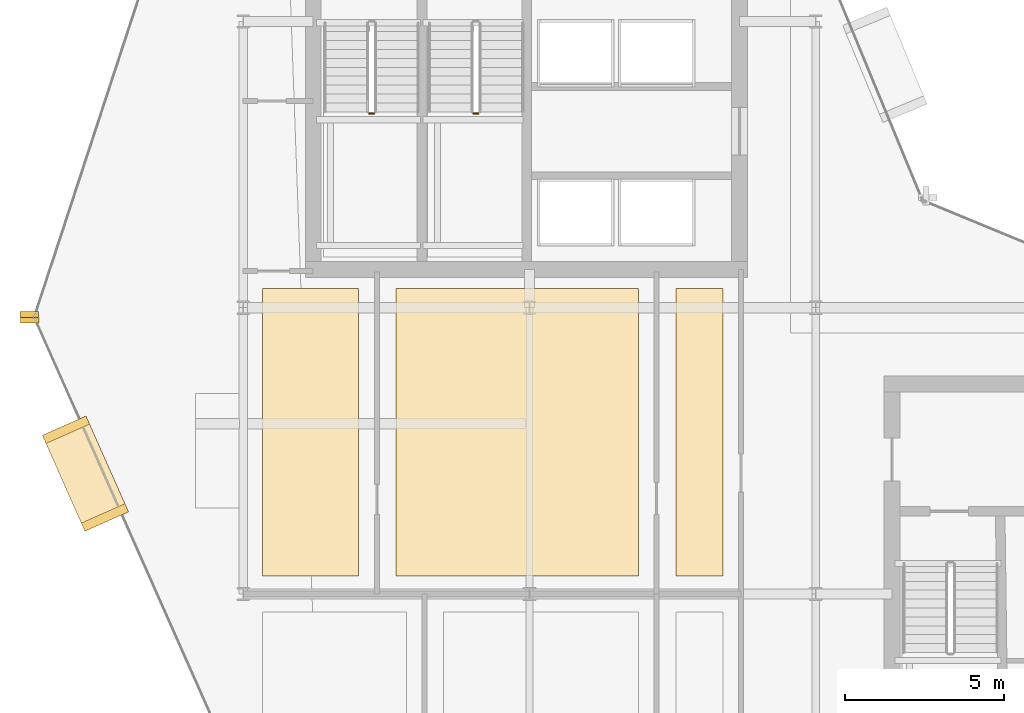
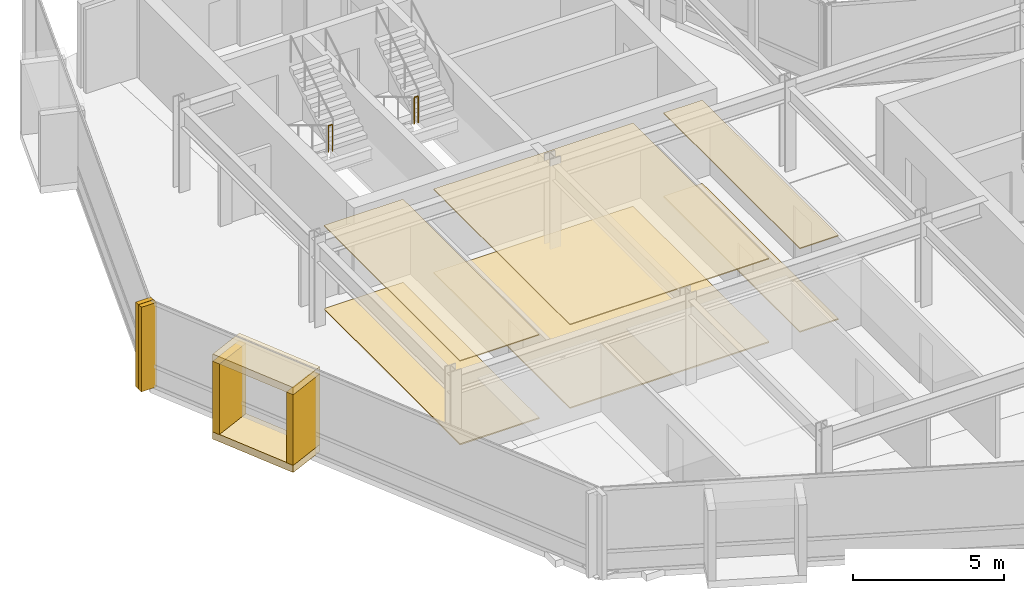
# One storey, part 23 of 27: 12 coverings, 2 railings.
"""IFC4 building model written with IfcOpenShell, lengths in metres."""

import ifcopenshell
import ifcopenshell.guid

model = None  # the IFC model being written
_history = None  # IfcOwnerHistory: only IFC2X3 demands one
_inside = {}  # id of a spatial element -> (the spatial element, [elements in it])
_under = {}  # id of a project, library or spatial element -> (it, [spatial elements below it])
_declared = {}  # id of a project -> (the project, [libraries it declares])
_typed = {}  # id of a type object -> (the type object, [elements of that type])
_made_of = {}  # id of a material, layer set ... -> (it, [elements and type objects made of it])


def new_model(schema):
    """Start an empty IFC model of exactly this schema.

    Asked for "IFC4X3", IfcOpenShell would pick the latest addendum, in which some entities
    have other attributes; the version numbers below select the first issue.
    IFC2X3 requires an IfcOwnerHistory on every rooted entity: one is made here for all.
    """
    global model, _history
    if schema == "IFC4X3":
        model = ifcopenshell.file(schema_version=(4, 3, 0, 0))
    else:
        model = ifcopenshell.file(schema=schema)
    _inside.clear()
    _under.clear()
    _declared.clear()
    _typed.clear()
    _made_of.clear()
    _history = None
    if model.schema == "IFC2X3":
        org = make("IfcOrganization", Name="unknown")
        user = make(
            "IfcPersonAndOrganization",
            ThePerson=make("IfcPerson", FamilyName="unknown"),
            TheOrganization=org,
        )
        app = make(
            "IfcApplication",
            ApplicationDeveloper=org,
            Version="unknown",
            ApplicationFullName="unknown",
            ApplicationIdentifier="unknown",
        )
        _history = make(
            "IfcOwnerHistory",
            OwningUser=user,
            OwningApplication=app,
            ChangeAction="ADDED",
            CreationDate=0,
        )
    return model


def make(cls, **values):
    """One entity of the class cls with the attributes given. An attribute that is None is left unset."""
    return model.create_entity(
        cls, **{name: value for name, value in values.items() if value is not None}
    )


def rooted(cls, **values):
    """An entity with a GlobalId (a new one), such as an element, a storey or a relation."""
    return make(cls, GlobalId=ifcopenshell.guid.new(), OwnerHistory=_history, **values)


def si_unit(unit_type, name, prefix=None):
    """IfcSIUnit, for example si_unit("LENGTHUNIT", "METRE", prefix="MILLI")."""
    return make("IfcSIUnit", UnitType=unit_type, Prefix=prefix, Name=name)


def assignment(units):
    """IfcUnitAssignment: the units of a project."""
    return None if units is None else make("IfcUnitAssignment", Units=units)


def point(xyz):
    """IfcCartesianPoint."""
    return None if xyz is None else make("IfcCartesianPoint", Coordinates=xyz)


def direction(xyz):
    """IfcDirection."""
    return None if xyz is None else make("IfcDirection", DirectionRatios=xyz)


def frame(location, z_axis=None, x_axis=None):
    """IfcAxis2Placement3D, a coordinate frame: its origin and axes. An axis left out is left unset."""
    return make(
        "IfcAxis2Placement3D",
        Location=point(location),
        Axis=direction(z_axis),
        RefDirection=direction(x_axis),
    )


def frame_2d(location, x_axis=None):
    """IfcAxis2Placement2D, a coordinate frame in the plane: its origin and x axis."""
    return make(
        "IfcAxis2Placement2D", Location=point(location), RefDirection=direction(x_axis)
    )


def origin():
    """The frame at (0, 0, 0) with its axes left unset."""
    return frame((0.0, 0.0, 0.0))


def origin_2d():
    """The frame at (0, 0) in the plane with its x axis left unset."""
    return frame_2d((0.0, 0.0))


def place(relative_to, where):
    """IfcLocalPlacement: puts the frame where relative to a parent placement (None: the world)."""
    return make(
        "IfcLocalPlacement", PlacementRelTo=relative_to, RelativePlacement=where
    )


def context(
    kind, dimensions, precision=None, world=None, true_north=None, identifier=None
):
    """IfcGeometricRepresentationContext, for example the 3D "Model" context."""
    return make(
        "IfcGeometricRepresentationContext",
        ContextIdentifier=identifier,
        ContextType=kind,
        CoordinateSpaceDimension=dimensions,
        Precision=precision,
        WorldCoordinateSystem=world,
        TrueNorth=true_north,
    )


def subcontext(parent, identifier, kind, view, scale=None):
    """IfcGeometricRepresentationSubContext, for example "Body" below "Model"."""
    return make(
        "IfcGeometricRepresentationSubContext",
        ContextIdentifier=identifier,
        ContextType=kind,
        ParentContext=parent,
        TargetScale=scale,
        TargetView=view,
    )


def project(units=None, contexts=None):
    """IfcProject with its units and contexts."""
    return rooted(
        "IfcProject",
        Name="project",
        RepresentationContexts=contexts,
        UnitsInContext=assignment(units),
    )


def spatial(cls, under=None, at=None, **own):
    """A site, building, storey or space (cls), placed at a placement, below another one or the project."""
    s = rooted(cls, ObjectPlacement=at, **own)
    if under is not None:
        _under.setdefault(under.id(), (under, []))[1].append(s)
    return s


def polyline(points):
    """IfcPolyline through the points."""
    return make("IfcPolyline", Points=[point(p) for p in points])


def profile(cls, at=None, kind="AREA", **sizes):
    """A parametric profile (cls). Its sizes go by their IFC names, for example OverallWidth=200.0."""
    return make(cls, ProfileType=kind, Position=at, **sizes)


def rectangle(**sizes):
    """IfcRectangleProfileDef."""
    return profile("IfcRectangleProfileDef", **sizes)


def circle(**sizes):
    """IfcCircleProfileDef."""
    return profile("IfcCircleProfileDef", **sizes)


def outline(outer, holes=None, kind="AREA"):
    """IfcArbitraryClosedProfileDef: a profile drawn as a closed curve; with holes, ...WithVoids."""
    if holes is None:
        return make("IfcArbitraryClosedProfileDef", ProfileType=kind, OuterCurve=outer)
    return make(
        "IfcArbitraryProfileDefWithVoids",
        ProfileType=kind,
        OuterCurve=outer,
        InnerCurves=holes,
    )


def extrude(swept, where, along, depth):
    """IfcExtrudedAreaSolid: the profile swept, set in the frame where, extruded along a direction by depth."""
    return make(
        "IfcExtrudedAreaSolid",
        SweptArea=swept,
        Position=where,
        ExtrudedDirection=direction(along),
        Depth=depth,
    )


def shape(context_of_items, identifier, shape_type, items):
    """IfcShapeRepresentation: the items that make up one representation, for example the "Body"."""
    return make(
        "IfcShapeRepresentation",
        ContextOfItems=context_of_items,
        RepresentationIdentifier=identifier,
        RepresentationType=shape_type,
        Items=items,
    )


def material(Name=None, Category=None):
    """IfcMaterial."""
    return make("IfcMaterial", Name=Name, Category=Category)


def layer(
    of_material, thickness, ventilated=None, Name=None, Category=None, Priority=None
):
    """IfcMaterialLayer: one layer of a wall or slab, of a material (None: an air gap)."""
    return make(
        "IfcMaterialLayer",
        Material=of_material,
        LayerThickness=thickness,
        IsVentilated=ventilated,
        Name=Name,
        Category=Category,
        Priority=Priority,
    )


def layer_set(layers, Name=None):
    """IfcMaterialLayerSet."""
    return make("IfcMaterialLayerSet", MaterialLayers=layers, LayerSetName=Name)


def made_of(thing, what):
    """Note that an element or type object is made of a material, layer set ...; save() writes the relation."""
    if what is not None:
        _made_of.setdefault(what.id(), (what, []))[1].append(thing)
    return thing


def type_object(cls, material=None, **own):
    """A type object (cls), such as IfcWallType, which elements share."""
    return made_of(rooted(cls, **own), material)


def element(
    cls,
    number,
    at=None,
    inside=None,
    cuts=None,
    type_object=None,
    material=None,
    context=None,
    identifier="Body",
    shape_type=None,
    held_by="IfcProductDefinitionShape",
    body=None,
    shapes=None,
    **own,
):
    """One element of the class cls, such as IfcWall. Its Tag is "e" and its number.

    at: its placement. inside: the storey or other place that contains it. cuts: it is an
    opening in that element (IfcRelVoidsElement). A single representation is given by context,
    identifier, shape_type and body (its items); several are given by shapes. held_by: the class
    of the entity that holds the representations. save() writes the other relations.
    """
    e = rooted(cls, Tag="e%d" % number, ObjectPlacement=at, **own)
    if body is not None:
        shapes = [shape(context, identifier, shape_type, body)]
    if shapes is not None:
        e.Representation = make(held_by, Representations=shapes)
    if inside is not None:
        _inside.setdefault(inside.id(), (inside, []))[1].append(e)
    if cuts is not None:
        rooted(
            "IfcRelVoidsElement", RelatingBuildingElement=cuts, RelatedOpeningElement=e
        )
    if type_object is not None:
        _typed.setdefault(type_object.id(), (type_object, []))[1].append(e)
    return made_of(e, material)


def aggregate(whole, parts):
    """IfcRelAggregates: a whole, such as a stair, and the parts it consists of."""
    return rooted("IfcRelAggregates", RelatingObject=whole, RelatedObjects=parts)


def save(model, path):
    """Write the relations noted so far, then the file.

    IfcRelAggregates (storeys below a building ...), IfcRelContainedInSpatialStructure (elements
    in a storey), IfcRelDefinesByType, IfcRelAssociatesMaterial and IfcRelDeclares: one each for
    every whole, place, type object, material and project.
    """
    for whole, parts in _under.values():
        aggregate(whole, parts)
    for where, things in _inside.values():
        rooted(
            "IfcRelContainedInSpatialStructure",
            RelatedElements=things,
            RelatingStructure=where,
        )
    for kind, things in _typed.values():
        rooted("IfcRelDefinesByType", RelatedObjects=things, RelatingType=kind)
    for what, things in _made_of.values():
        rooted("IfcRelAssociatesMaterial", RelatedObjects=things, RelatingMaterial=what)
    for by, libraries in _declared.values():
        rooted("IfcRelDeclares", RelatingContext=by, RelatedDefinitions=libraries)
    model.write(path)


model = new_model("IFC4")

# Units and contexts
model_context = context("Model", 3, precision=1e-05, world=origin(), true_north=direction((0.0, 1.0)))
body_context = subcontext(model_context, "Body", "Model", "MODEL_VIEW")
ifc_project = project(units=[si_unit("LENGTHUNIT", "METRE"), si_unit("AREAUNIT", "SQUARE_METRE"), si_unit("VOLUMEUNIT", "CUBIC_METRE"), si_unit("PLANEANGLEUNIT", "RADIAN"), si_unit("MASSUNIT", "GRAM", prefix="KILO")], contexts=[model_context])

# Site, building, storey
site_placement = place(None, origin())
site = spatial("IfcSite", under=ifc_project, at=site_placement, CompositionType="ELEMENT")
building_placement = place(site_placement, origin())
building = spatial("IfcBuilding", under=site, at=building_placement, Name="Solvaryn Broadcast Tower", CompositionType="ELEMENT")
storey_placement = place(building_placement, frame((0.0, 0.0, 189.0)))
storey = spatial("IfcBuildingStorey", under=building, at=storey_placement, Name="L47", CompositionType="ELEMENT", Elevation=189.0)

# Coverings
ifc_material_1 = material(Name="Micro-Perforated Acoustic Gypsum Ceiling", Category="concrete")
ifc_layer_1 = layer(ifc_material_1, 0.0400390625)
ifc_layer_set_1 = layer_set([ifc_layer_1], Name="CV-CEIL-ACOUSTIC")
covering_type_1 = type_object("IfcCoveringType", Name="CV-CEIL-ACOUSTIC", PredefinedType="CEILING", material=ifc_layer_set_1)
covering_1_placement = place(storey_placement, frame((0.0, 0.0, 3.3798828125)))
element("IfcCovering", 1, at=covering_1_placement, inside=storey, type_object=covering_type_1, Name="L47 Room Acoustic Ceiling 1", PredefinedType="CEILING", context=body_context, shape_type="SweptSolid", body=[
    extrude(outline(polyline([(9.60009765625, 18.570068359375), (12.6298828125, 18.570068359375), (12.6298828125, 27.60009765625), (9.60009765625, 27.60009765625), (9.60009765625, 18.570068359375)])), origin(), (0.0, 0.0, 1.0), 0.0400390625),
])
covering_2_placement = place(storey_placement, frame((0.0, 0.0, 3.3798828125)))
element("IfcCovering", 2, at=covering_2_placement, inside=storey, type_object=covering_type_1, Name="L47 Room Acoustic Ceiling 2", PredefinedType="CEILING", context=body_context, shape_type="SweptSolid", body=[
    extrude(outline(polyline([(13.800048828125, 18.570068359375), (21.429931640625, 18.570068359375), (21.429931640625, 27.60009765625), (13.800048828125, 27.60009765625), (13.800048828125, 18.570068359375)])), origin(), (0.0, 0.0, 1.0), 0.0400390625),
])
covering_3_placement = place(storey_placement, frame((0.0, 0.0, 3.3798828125)))
element("IfcCovering", 3, at=covering_3_placement, inside=storey, type_object=covering_type_1, Name="L47 Room Acoustic Ceiling 3", PredefinedType="CEILING", context=body_context, shape_type="SweptSolid", body=[
    extrude(outline(polyline([(22.60009765625, 18.570068359375), (24.080078125, 18.570068359375), (24.080078125, 27.60009765625), (22.60009765625, 27.60009765625), (22.60009765625, 18.570068359375)])), origin(), (0.0, 0.0, 1.0), 0.0400390625),
])
ifc_material_2 = material(Name="Newsroom Raised Data Access Flooring", Category="steel")
ifc_layer_2 = layer(ifc_material_2, 0.050048828125)
ifc_layer_set_2 = layer_set([ifc_layer_2], Name="CV-FLOOR-RAISED")
covering_type_2 = type_object("IfcCoveringType", Name="CV-FLOOR-RAISED", PredefinedType="FLOORING", material=ifc_layer_set_2)
covering_4_placement = place(storey_placement, origin())
element("IfcCovering", 4, at=covering_4_placement, inside=storey, type_object=covering_type_2, Name="L47 Room Acoustic Floor Finish 1", PredefinedType="FLOORING", context=body_context, shape_type="SweptSolid", body=[
    extrude(outline(polyline([(9.60009765625, 18.570068359375), (12.6298828125, 18.570068359375), (12.6298828125, 27.60009765625), (9.60009765625, 27.60009765625), (9.60009765625, 18.570068359375)])), origin(), (0.0, 0.0, 1.0), 0.050048828125),
])
covering_5_placement = place(storey_placement, origin())
element("IfcCovering", 5, at=covering_5_placement, inside=storey, type_object=covering_type_2, Name="L47 Room Acoustic Floor Finish 2", PredefinedType="FLOORING", context=body_context, shape_type="SweptSolid", body=[
    extrude(outline(polyline([(13.800048828125, 18.570068359375), (21.429931640625, 18.570068359375), (21.429931640625, 27.60009765625), (13.800048828125, 27.60009765625), (13.800048828125, 18.570068359375)])), origin(), (0.0, 0.0, 1.0), 0.050048828125),
])
covering_6_placement = place(storey_placement, origin())
element("IfcCovering", 6, at=covering_6_placement, inside=storey, type_object=covering_type_2, Name="L47 Room Acoustic Floor Finish 3", PredefinedType="FLOORING", context=body_context, shape_type="SweptSolid", body=[
    extrude(outline(polyline([(22.60009765625, 18.570068359375), (24.080078125, 18.570068359375), (24.080078125, 27.60009765625), (22.60009765625, 27.60009765625), (22.60009765625, 18.570068359375)])), origin(), (0.0, 0.0, 1.0), 0.050048828125),
])
ifc_material_3 = material(Name="Glazed Architectural Terracotta Rainscreen Cladding", Category="masonry")
ifc_layer_3 = layer(ifc_material_3, 0.280029296875)
ifc_layer_set_3 = layer_set([ifc_layer_3], Name="CV-TC-CLAD")
covering_type_3 = type_object("IfcCoveringType", Name="CV-TC-CLAD", PredefinedType="CLADDING", material=ifc_layer_set_3)
for number, where, z_axis, x_axis, name in (
    (7, (4.0390625, 21.784912109375, 3.1298828125), (0.0, 0.0, 1.0), (0.405939269498, -0.913900054426, 0.0), "L47 Projecting Stone Window Box Hood 2"),
    (8, (4.0390625, 21.784912109375, -0.01025390625), (0.0, 0.0, 1.0), (0.405939269498, -0.913900054426, 0.0), "L47 Projecting Stone Window Box Sill 2"),
):
    element("IfcCovering", number, at=place(storey_placement, frame(where, z_axis=z_axis, x_axis=x_axis)), inside=storey, type_object=covering_type_3, Name=name, PredefinedType="CLADDING", context=body_context, shape_type="SweptSolid", body=[
        extrude(rectangle(XDim=3.300048828125, YDim=1.5, at=origin_2d()), origin(), (0.0, 0.0, 1.0), 0.300048828125),
    ])
for number, where, z_axis, x_axis, name in (
    (9, (3.426025390625, 23.1650390625, 0.27978515625), (0.0, 0.0, 1.0), (0.405939269498, -0.913900054426, 0.0), "L47 Projecting Stone Window Box Cheek 2-1"),
    (10, (4.652099609375, 20.405029296875, 0.27978515625), (0.0, 0.0, 1.0), (0.405939269498, -0.913900054426, 0.0), "L47 Projecting Stone Window Box Cheek 2-2"),
):
    element("IfcCovering", number, at=place(storey_placement, frame(where, z_axis=z_axis, x_axis=x_axis)), inside=storey, type_object=covering_type_3, Name=name, PredefinedType="CLADDING", context=body_context, shape_type="SweptSolid", body=[
        extrude(rectangle(XDim=0.280029296875, YDim=1.5, at=origin_2d()), origin(), (0.0, 0.0, 1.0), 2.860107421875),
    ])
ifc_material_4 = material(Name="Extruded Architectural Terracotta Fin", Category="masonry")
ifc_layer_4 = layer(ifc_material_4, 0.179931640625)
ifc_layer_set_4 = layer_set([ifc_layer_4], Name="CV-TC-FIN")
covering_type_4 = type_object("IfcCoveringType", Name="CV-TC-FIN", PredefinedType="USERDEFINED", material=ifc_layer_set_4)
for number, where, z_axis, x_axis, name in (
    (11, (2.271240234375, 26.790771484375, 0.0), (0.0, 0.0, 1.0), (1.0, 0.0, 0.0), "L47 Terracotta Vertical Fin FIN-L47-DR1-M01"),
    (12, (2.281005859375, 26.605712890625, 0.0), (0.0, 0.0, 1.0), (1.0, 0.0, 0.0), "L47 Terracotta Vertical Fin FIN-L47-DR2-M00"),
):
    element("IfcCovering", number, at=place(storey_placement, frame(where, z_axis=z_axis, x_axis=x_axis)), inside=storey, type_object=covering_type_4, Name=name, ObjectType="FIN", PredefinedType="USERDEFINED", context=body_context, shape_type="SweptSolid", body=[
        extrude(rectangle(XDim=0.580078125, YDim=0.179931640625, at=origin_2d()), origin(), (0.0, 0.0, 1.0), 3.419921875),
    ])

# Railings
ifc_material_5 = material(Name="Painted Steel Stair Well Guard", Category="steel")
railing_type = type_object("IfcRailingType", Name="RL-STAIR-GUARD", PredefinedType="BALUSTRADE", material=ifc_material_5)
railing_1_placement = place(storey_placement, frame((12.9599609375, 33.110107421875, 1.85009765625)))
element("IfcRailing", 13, at=railing_1_placement, inside=storey, type_object=railing_type, Name="L47 ST1 stair guard 2", PredefinedType="BALUSTRADE", context=body_context, shape_type="SweptSolid", body=[
    extrude(circle(Radius=0.02392578125, at=origin_2d()), frame((0.0, 0.0, 1.076171875), z_axis=(1.0, 0.0, 0.0), x_axis=(0.0, 1.0, 0.0)), (0.0, 0.0, 1.0), 0.150146484375),
    extrude(circle(Radius=0.02099609375, at=origin_2d()), origin(), (0.0, 0.0, 1.0), 1.052001953125),
    extrude(circle(Radius=0.02099609375, at=origin_2d()), frame((0.150146484375, 0.0, 0.0)), (0.0, 0.0, 1.0), 1.052001953125),
])
railing_2_placement = place(storey_placement, frame((16.239990234375, 33.110107421875, 1.85009765625)))
element("IfcRailing", 14, at=railing_2_placement, inside=storey, type_object=railing_type, Name="L47 ST2 stair guard 2", PredefinedType="BALUSTRADE", context=body_context, shape_type="SweptSolid", body=[
    extrude(circle(Radius=0.02392578125, at=origin_2d()), frame((0.0, 0.0, 1.076171875), z_axis=(1.0, 0.0, 0.0), x_axis=(0.0, 1.0, 0.0)), (0.0, 0.0, 1.0), 0.14990234375),
    extrude(circle(Radius=0.02099609375, at=origin_2d()), origin(), (0.0, 0.0, 1.0), 1.052001953125),
    extrude(circle(Radius=0.02099609375, at=origin_2d()), frame((0.14990234375, 0.0, 0.0)), (0.0, 0.0, 1.0), 1.052001953125),
])

save(model, "model.ifc")
